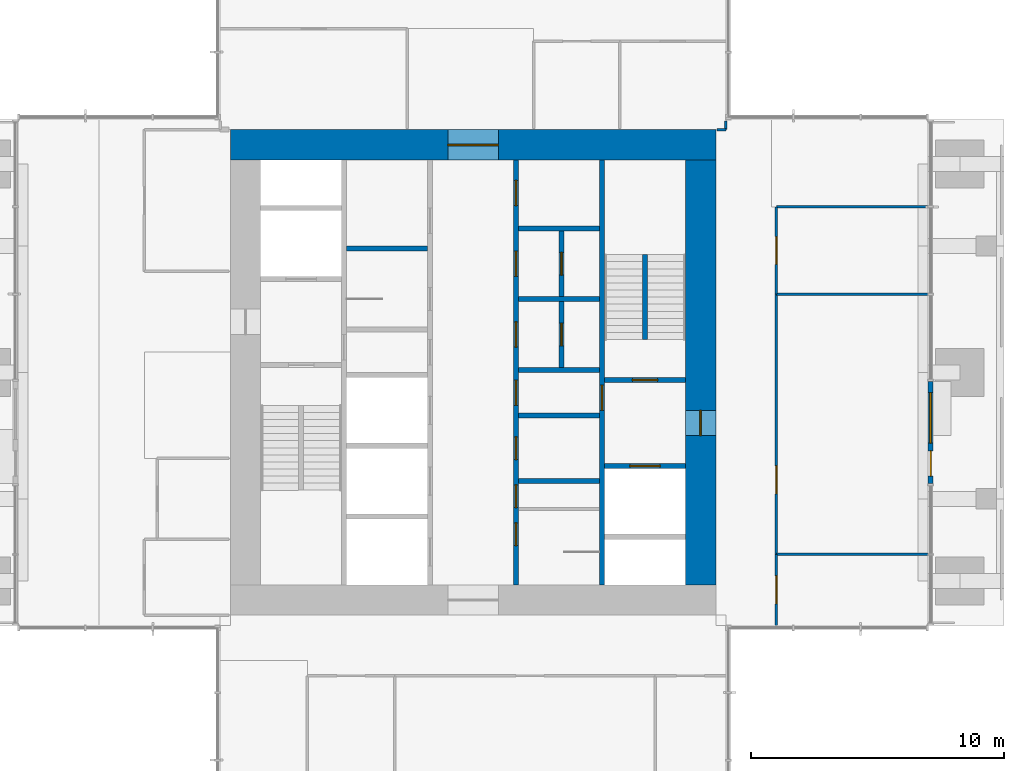
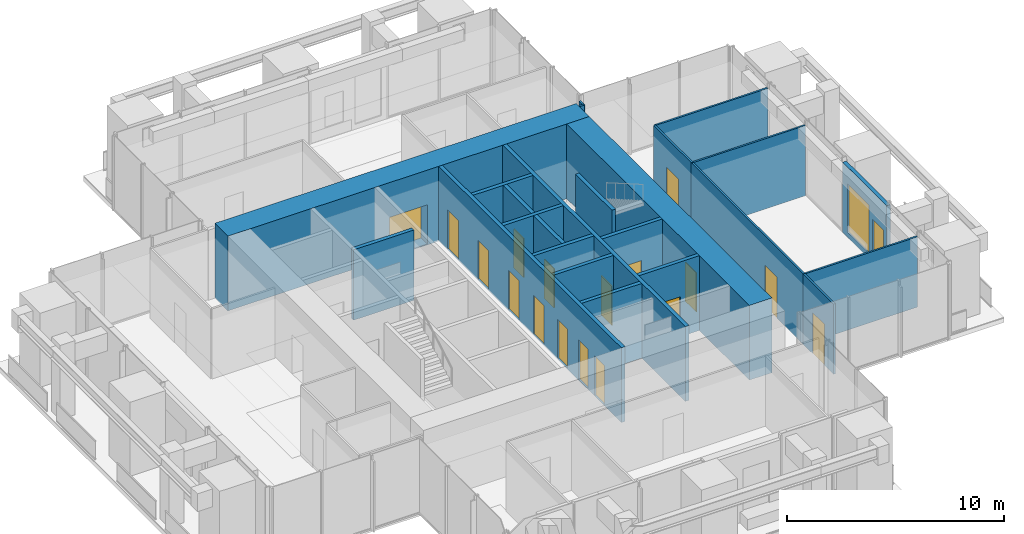
# One storey, part 8 of 12: 24 walls, 18 doors, 1 window, 19 openings.
"""IFC4 building model written with IfcOpenShell, lengths in metres."""

from ifc_helpers import new_model, si_unit, direction, frame, frame_2d, origin, place, context, subcontext, project, spatial, rectangle, extrude, material, layer, layer_set, type_object, element, fill, save


model = new_model("IFC4")

# Units and contexts
model_context = context("Model", 3, precision=1e-05, world=origin(), true_north=direction((0.0, 1.0)))
body_context = subcontext(model_context, "Body", "Model", "MODEL_VIEW")
ifc_project = project(units=[si_unit("LENGTHUNIT", "METRE"), si_unit("AREAUNIT", "SQUARE_METRE"), si_unit("VOLUMEUNIT", "CUBIC_METRE"), si_unit("PLANEANGLEUNIT", "RADIAN"), si_unit("MASSUNIT", "GRAM", prefix="KILO")], contexts=[model_context])

# Site, building, storey
site_placement = place(None, origin())
site = spatial("IfcSite", under=ifc_project, at=site_placement, CompositionType="ELEMENT")
building_placement = place(site_placement, origin())
building = spatial("IfcBuilding", under=site, at=building_placement, Name="Svetlomir Tower", CompositionType="ELEMENT")
storey_placement = place(building_placement, frame((0.0, 0.0, 244.0)))
storey = spatial("IfcBuildingStorey", under=building, at=storey_placement, Name="L58", CompositionType="ELEMENT", Elevation=244.0)

# Wall
ifc_material_1 = material(Name="Gypsum board on twin steel studs", Category="steel")
ifc_layer_1 = layer(ifc_material_1, 0.199951171875)
ifc_layer_set_1 = layer_set([ifc_layer_1], Name="Gypsum board on twin steel studs")
wall_type_1 = type_object("IfcWallType", Name="ACOUSTIC PARTITION 200", PredefinedType="PARTITIONING", material=ifc_layer_set_1)
wall_1_placement = place(storey_placement, frame((16.0, 25.89990234375, 0.0), z_axis=(0.0, 0.0, 1.0), x_axis=(1.0, 0.0, 0.0)))
element("IfcWall", 1, at=wall_1_placement, inside=storey, type_object=wall_type_1, Name="Core cell partition 16-19.2/25.9 L58", PredefinedType="PARTITIONING", context=body_context, shape_type="SweptSolid", body=[
    extrude(rectangle(XDim=3.199951171875, YDim=0.199951171875, at=frame_2d((1.60009765625, 0.0))), origin(), (0.0, 0.0, 1.0), 3.949951171875),
])

# Wall, openings, door, window
ifc_material_2 = material(Name="Bronze anodised aluminium glazed screen", Category="aluminium")
ifc_layer_2 = layer(ifc_material_2, 0.199951171875)
ifc_layer_set_2 = layer_set([ifc_layer_2], Name="Bronze anodised aluminium glazed screen")
wall_type_2 = type_object("IfcWallType", Name="BALCONY SCREEN WALL 200", PredefinedType="USERDEFINED", material=ifc_layer_set_2)
wall_2_placement = place(storey_placement, frame((39.10009765625, 16.60009765625, 0.0), z_axis=(0.0, 0.0, 1.0), x_axis=(0.0, 1.0, 0.0)))
wall_2 = element("IfcWall", 2, at=wall_2_placement, inside=storey, type_object=wall_type_2, Name="Balcony screen E", ObjectType="GLAZED SCREEN", PredefinedType="USERDEFINED", context=body_context, shape_type="SweptSolid", body=[
    extrude(rectangle(XDim=4.0498046875, YDim=0.199951171875, at=frame_2d((2.02490234375, 0.0))), origin(), (0.0, 0.0, 1.0), 3.949951171875),
])
opening_1_placement = place(wall_2_placement, frame((0.300048828125, 0.0, 0.0)))
opening_1 = element("IfcOpeningElement", 3, at=opening_1_placement, cuts=wall_2, Name="Opening BD", PredefinedType="OPENING", context=body_context, shape_type="SweptSolid", body=[
    extrude(rectangle(XDim=1.0, YDim=2.39990234375, at=frame_2d((0.5, 1.199951171875))), frame((0.0, 0.10986328125, 0.0), z_axis=(0.0, -1.0, 0.0), x_axis=(1.0, 0.0, 0.0)), (0.0, 0.0, 1.0), 0.219970703125),
])
opening_2_placement = place(wall_2_placement, frame((1.60009765625, 0.0, 0.300048828125)))
opening_2 = element("IfcOpeningElement", 4, at=opening_2_placement, cuts=wall_2, Name="Opening WS", PredefinedType="OPENING", context=body_context, shape_type="SweptSolid", body=[
    extrude(rectangle(XDim=2.0, YDim=2.699951171875, at=frame_2d((1.0, 1.35009765625))), frame((0.0, 0.10986328125, 0.0), z_axis=(0.0, -1.0, 0.0), x_axis=(1.0, 0.0, 0.0)), (0.0, 0.0, 1.0), 0.219970703125),
])
ifc_material_3 = material(Name="Bronze anodised aluminium glazed door", Category="aluminium")
door_type_1 = type_object("IfcDoorType", Name="BALCONY DOOR BD 1000x2400", OperationType="SINGLE_SWING_LEFT", PredefinedType="DOOR", material=ifc_material_3)
door_1_placement = place(opening_1_placement, origin())
door_1 = element("IfcDoor", 5, at=door_1_placement, inside=storey, type_object=door_type_1, Name="Balcony screen E door", OperationType="SINGLE_SWING_LEFT", OverallHeight=2.39990234375, OverallWidth=1.0, PredefinedType="DOOR", context=body_context, shape_type="SweptSolid", body=[
    extrude(rectangle(XDim=1.0, YDim=2.39990234375, at=frame_2d((0.5, 1.199951171875))), frame((0.0, 0.02490234375, 0.0), z_axis=(0.0, -1.0, 0.0), x_axis=(1.0, 0.0, 0.0)), (0.0, 0.0, 1.0), 0.050048828125),
])
fill(opening_1, door_1)
ifc_material_4 = material(Name="Bronze anodised aluminium window", Category="aluminium")
window_type = type_object("IfcWindowType", Name="SCREEN WINDOW WS 2000x2700", PartitioningType="SINGLE_PANEL", PredefinedType="WINDOW", material=ifc_material_4)
window_placement = place(opening_2_placement, origin())
window = element("IfcWindow", 6, at=window_placement, inside=storey, type_object=window_type, Name="Balcony screen E window 1", OverallHeight=2.699951171875, OverallWidth=2.0, PartitioningType="SINGLE_PANEL", PredefinedType="WINDOW", context=body_context, shape_type="SweptSolid", body=[
    extrude(rectangle(XDim=2.0, YDim=2.699951171875, at=frame_2d((1.0, 1.35009765625))), frame((0.0, 0.030029296875, 0.0), z_axis=(0.0, -1.0, 0.0), x_axis=(1.0, 0.0, 0.0)), (0.0, 0.0, 1.0), 0.06005859375),
])
fill(opening_2, window)

# Wall, openings, doors
ifc_material_5 = material(Name="Concrete C60/75", Category="concrete")
ifc_layer_3 = layer(ifc_material_5, 0.199951171875)
ifc_layer_set_3 = layer_set([ifc_layer_3], Name="Concrete C60/75")
wall_type_3 = type_object("IfcWallType", Name="CORE INNER WALL 200", PredefinedType="SHEAR", material=ifc_layer_set_3)
wall_3_placement = place(storey_placement, frame((22.699951171875, 12.60009765625, -0.050048828125), z_axis=(0.0, 0.0, 1.0), x_axis=(0.0, 1.0, 0.0)))
wall_3 = element("IfcWall", 7, at=wall_3_placement, inside=storey, type_object=wall_type_3, Name="Core inner wall 22.7 L58", PredefinedType="SHEAR", context=body_context, shape_type="SweptSolid", body=[
    extrude(rectangle(XDim=16.7998046875, YDim=0.199951171875, at=frame_2d((8.39990234375, 0.0))), origin(), (0.0, 0.0, 1.0), 4.199951171875),
])
opening_3_placement = place(wall_3_placement, frame((3.050048828125, 0.0, 0.050048828125)))
opening_3 = element("IfcOpeningElement", 8, at=opening_3_placement, cuts=wall_3, Name="Opening DW", PredefinedType="OPENING", context=body_context, shape_type="SweptSolid", body=[
    extrude(rectangle(XDim=0.89990234375, YDim=2.199951171875, at=frame_2d((0.449951171875, 1.10009765625))), frame((0.0, 0.10986328125, 0.0), z_axis=(0.0, -1.0, 0.0), x_axis=(1.0, 0.0, 0.0)), (0.0, 0.0, 1.0), 0.219970703125),
])
opening_4_placement = place(wall_3_placement, frame((7.10009765625, 0.0, 0.050048828125)))
opening_4 = element("IfcOpeningElement", 9, at=opening_4_placement, cuts=wall_3, Name="Opening DC", PredefinedType="OPENING", context=body_context, shape_type="SweptSolid", body=[
    extrude(rectangle(XDim=1.0, YDim=2.199951171875, at=frame_2d((0.5, 1.10009765625))), frame((0.0, 0.10986328125, 0.0), z_axis=(0.0, -1.0, 0.0), x_axis=(1.0, 0.0, 0.0)), (0.0, 0.0, 1.0), 0.219970703125),
])
opening_5_placement = place(wall_3_placement, frame((1.550048828125, 0.0, 0.050048828125)))
opening_5 = element("IfcOpeningElement", 10, at=opening_5_placement, cuts=wall_3, Name="Opening DW", PredefinedType="OPENING", context=body_context, shape_type="SweptSolid", body=[
    extrude(rectangle(XDim=0.89990234375, YDim=2.199951171875, at=frame_2d((0.449951171875, 1.10009765625))), frame((0.0, 0.10986328125, 0.0), z_axis=(0.0, -1.0, 0.0), x_axis=(1.0, 0.0, 0.0)), (0.0, 0.0, 1.0), 0.219970703125),
])
opening_6_placement = place(wall_3_placement, frame((4.949951171875, 0.0, 0.050048828125)))
opening_6 = element("IfcOpeningElement", 11, at=opening_6_placement, cuts=wall_3, Name="Opening DW", PredefinedType="OPENING", context=body_context, shape_type="SweptSolid", body=[
    extrude(rectangle(XDim=0.89990234375, YDim=2.199951171875, at=frame_2d((0.449951171875, 1.10009765625))), frame((0.0, 0.10986328125, 0.0), z_axis=(0.0, -1.0, 0.0), x_axis=(1.0, 0.0, 0.0)), (0.0, 0.0, 1.0), 0.219970703125),
])
opening_7_placement = place(wall_3_placement, frame((9.39990234375, 0.0, 0.050048828125)))
opening_7 = element("IfcOpeningElement", 12, at=opening_7_placement, cuts=wall_3, Name="Opening DC", PredefinedType="OPENING", context=body_context, shape_type="SweptSolid", body=[
    extrude(rectangle(XDim=1.0, YDim=2.199951171875, at=frame_2d((0.5, 1.10009765625))), frame((0.0, 0.10986328125, 0.0), z_axis=(0.0, -1.0, 0.0), x_axis=(1.0, 0.0, 0.0)), (0.0, 0.0, 1.0), 0.219970703125),
])
opening_8_placement = place(wall_3_placement, frame((12.199951171875, 0.0, 0.050048828125)))
opening_8 = element("IfcOpeningElement", 13, at=opening_8_placement, cuts=wall_3, Name="Opening DC", PredefinedType="OPENING", context=body_context, shape_type="SweptSolid", body=[
    extrude(rectangle(XDim=1.0, YDim=2.199951171875, at=frame_2d((0.5, 1.10009765625))), frame((0.0, 0.10986328125, 0.0), z_axis=(0.0, -1.0, 0.0), x_axis=(1.0, 0.0, 0.0)), (0.0, 0.0, 1.0), 0.219970703125),
])
opening_9_placement = place(wall_3_placement, frame((15.0, 0.0, 0.050048828125)))
opening_9 = element("IfcOpeningElement", 14, at=opening_9_placement, cuts=wall_3, Name="Opening DC", PredefinedType="OPENING", context=body_context, shape_type="SweptSolid", body=[
    extrude(rectangle(XDim=1.0, YDim=2.199951171875, at=frame_2d((0.5, 1.10009765625))), frame((0.0, 0.10986328125, 0.0), z_axis=(0.0, -1.0, 0.0), x_axis=(1.0, 0.0, 0.0)), (0.0, 0.0, 1.0), 0.219970703125),
])
ifc_material_6 = material(Name="Timber fire door", Category="wood")
door_type_2 = type_object("IfcDoorType", Name="DOOR DC 1000x2200", OperationType="SINGLE_SWING_LEFT", PredefinedType="DOOR", material=ifc_material_6)
door_2_placement = place(opening_4_placement, origin())
door_2 = element("IfcDoor", 15, at=door_2_placement, inside=storey, type_object=door_type_2, Name="Core corridor east lobby door L58", OperationType="SINGLE_SWING_LEFT", OverallHeight=2.199951171875, OverallWidth=1.0, PredefinedType="DOOR", context=body_context, shape_type="SweptSolid", body=[
    extrude(rectangle(XDim=1.0, YDim=2.199951171875, at=frame_2d((0.5, 1.10009765625))), frame((0.0, 0.02490234375, 0.0), z_axis=(0.0, -1.0, 0.0), x_axis=(1.0, 0.0, 0.0)), (0.0, 0.0, 1.0), 0.050048828125),
])
fill(opening_4, door_2)
door_3_placement = place(opening_7_placement, origin())
door_3 = element("IfcDoor", 16, at=door_3_placement, inside=storey, type_object=door_type_2, Name="Converted shaft BANK-E1 room door L58", OperationType="SINGLE_SWING_RIGHT", OverallHeight=2.199951171875, OverallWidth=1.0, PredefinedType="DOOR", context=body_context, shape_type="SweptSolid", body=[
    extrude(rectangle(XDim=1.0, YDim=2.199951171875, at=frame_2d((0.5, 1.10009765625))), frame((0.0, 0.02490234375, 0.0), z_axis=(0.0, -1.0, 0.0), x_axis=(1.0, 0.0, 0.0)), (0.0, 0.0, 1.0), 0.050048828125),
])
fill(opening_7, door_3)
door_4_placement = place(opening_8_placement, origin())
door_4 = element("IfcDoor", 17, at=door_4_placement, inside=storey, type_object=door_type_2, Name="Converted shaft BANK-E2 room door L58", OperationType="SINGLE_SWING_RIGHT", OverallHeight=2.199951171875, OverallWidth=1.0, PredefinedType="DOOR", context=body_context, shape_type="SweptSolid", body=[
    extrude(rectangle(XDim=1.0, YDim=2.199951171875, at=frame_2d((0.5, 1.10009765625))), frame((0.0, 0.02490234375, 0.0), z_axis=(0.0, -1.0, 0.0), x_axis=(1.0, 0.0, 0.0)), (0.0, 0.0, 1.0), 0.050048828125),
])
fill(opening_8, door_4)
door_5_placement = place(opening_9_placement, origin())
door_5 = element("IfcDoor", 18, at=door_5_placement, inside=storey, type_object=door_type_2, Name="Converted shaft BANK-E3 room door L58", OperationType="SINGLE_SWING_RIGHT", OverallHeight=2.199951171875, OverallWidth=1.0, PredefinedType="DOOR", context=body_context, shape_type="SweptSolid", body=[
    extrude(rectangle(XDim=1.0, YDim=2.199951171875, at=frame_2d((0.5, 1.10009765625))), frame((0.0, 0.02490234375, 0.0), z_axis=(0.0, -1.0, 0.0), x_axis=(1.0, 0.0, 0.0)), (0.0, 0.0, 1.0), 0.050048828125),
])
fill(opening_9, door_5)
ifc_material_7 = material(Name="Timber fire door", Category="wood")
door_type_3 = type_object("IfcDoorType", Name="DOOR DW 900x2200", OperationType="SINGLE_SWING_LEFT", PredefinedType="DOOR", material=ifc_material_7)
door_6_placement = place(opening_3_placement, origin())
door_6 = element("IfcDoor", 19, at=door_6_placement, inside=storey, type_object=door_type_3, Name="Shower and changing room door L58", OperationType="SINGLE_SWING_LEFT", OverallHeight=2.199951171875, OverallWidth=0.89990234375, PredefinedType="DOOR", context=body_context, shape_type="SweptSolid", body=[
    extrude(rectangle(XDim=0.89990234375, YDim=2.199951171875, at=frame_2d((0.449951171875, 1.10009765625))), frame((0.0, 0.02490234375, 0.0), z_axis=(0.0, -1.0, 0.0), x_axis=(1.0, 0.0, 0.0)), (0.0, 0.0, 1.0), 0.050048828125),
])
fill(opening_3, door_6)
door_7_placement = place(opening_5_placement, origin())
door_7 = element("IfcDoor", 20, at=door_7_placement, inside=storey, type_object=door_type_3, Name="Male WC door L58", OperationType="SINGLE_SWING_RIGHT", OverallHeight=2.199951171875, OverallWidth=0.89990234375, PredefinedType="DOOR", context=body_context, shape_type="SweptSolid", body=[
    extrude(rectangle(XDim=0.89990234375, YDim=2.199951171875, at=frame_2d((0.449951171875, 1.10009765625))), frame((0.0, 0.02490234375, 0.0), z_axis=(0.0, -1.0, 0.0), x_axis=(1.0, 0.0, 0.0)), (0.0, 0.0, 1.0), 0.050048828125),
])
fill(opening_5, door_7)
door_8_placement = place(opening_6_placement, origin())
door_8 = element("IfcDoor", 21, at=door_8_placement, inside=storey, type_object=door_type_3, Name="Comms room door L58", OperationType="SINGLE_SWING_LEFT", OverallHeight=2.199951171875, OverallWidth=0.89990234375, PredefinedType="DOOR", context=body_context, shape_type="SweptSolid", body=[
    extrude(rectangle(XDim=0.89990234375, YDim=2.199951171875, at=frame_2d((0.449951171875, 1.10009765625))), frame((0.0, 0.02490234375, 0.0), z_axis=(0.0, -1.0, 0.0), x_axis=(1.0, 0.0, 0.0)), (0.0, 0.0, 1.0), 0.050048828125),
])
fill(opening_6, door_8)

# Wall, opening, door
wall_4_placement = place(storey_placement, frame((26.10009765625, 12.60009765625, -0.050048828125), z_axis=(0.0, 0.0, 1.0), x_axis=(0.0, 1.0, 0.0)))
wall_4 = element("IfcWall", 22, at=wall_4_placement, inside=storey, type_object=wall_type_3, Name="Core inner wall 26.1 L58", PredefinedType="SHEAR", context=body_context, shape_type="SweptSolid", body=[
    extrude(rectangle(XDim=16.7998046875, YDim=0.199951171875, at=frame_2d((8.39990234375, 0.0))), origin(), (0.0, 0.0, 1.0), 4.199951171875),
])
opening_10_placement = place(wall_4_placement, frame((6.89990234375, 0.0, 0.050048828125)))
opening_10 = element("IfcOpeningElement", 23, at=opening_10_placement, cuts=wall_4, Name="Opening DF", PredefinedType="OPENING", context=body_context, shape_type="SweptSolid", body=[
    extrude(rectangle(XDim=1.0, YDim=2.199951171875, at=frame_2d((0.5, 1.10009765625))), frame((0.0, 0.10986328125, 0.0), z_axis=(0.0, -1.0, 0.0), x_axis=(1.0, 0.0, 0.0)), (0.0, 0.0, 1.0), 0.219970703125),
])
ifc_material_8 = material(Name="Steel fire door", Category="steel")
door_type_4 = type_object("IfcDoorType", Name="DOOR DF 1000x2200", OperationType="SINGLE_SWING_LEFT", PredefinedType="DOOR", material=ifc_material_8)
door_9_placement = place(opening_10_placement, origin())
door_9 = element("IfcDoor", 24, at=door_9_placement, inside=storey, type_object=door_type_4, Name="Core corridor east door L58", OperationType="SINGLE_SWING_LEFT", OverallHeight=2.199951171875, OverallWidth=1.0, PredefinedType="DOOR", context=body_context, shape_type="SweptSolid", body=[
    extrude(rectangle(XDim=1.0, YDim=2.199951171875, at=frame_2d((0.5, 1.10009765625))), frame((0.0, 0.02490234375, 0.0), z_axis=(0.0, -1.0, 0.0), x_axis=(1.0, 0.0, 0.0)), (0.0, 0.0, 1.0), 0.050048828125),
])
fill(opening_10, door_9)

# Walls
for number, where, z_axis, x_axis, name in (
    (25, (22.800048828125, 16.699951171875, -0.050048828125), (0.0, 0.0, 1.0), (1.0, 0.0, 0.0), "Core inner wall 22.8-26/16.7 L58"),
    (26, (22.800048828125, 19.300048828125, -0.050048828125), (0.0, 0.0, 1.0), (1.0, 0.0, 0.0), "Core inner wall 22.8-26/19.3 L58"),
    (27, (22.800048828125, 21.10009765625, -0.050048828125), (0.0, 0.0, 1.0), (1.0, 0.0, 0.0), "Core inner wall 22.8-26/21.1 L58"),
    (28, (22.800048828125, 23.89990234375, -0.050048828125), (0.0, 0.0, 1.0), (1.0, 0.0, 0.0), "Core inner wall 22.8-26/23.9 L58"),
    (29, (22.800048828125, 26.699951171875, -0.050048828125), (0.0, 0.0, 1.0), (1.0, 0.0, 0.0), "Core inner wall 22.8-26/26.7 L58"),
):
    element("IfcWall", number, at=place(storey_placement, frame(where, z_axis=z_axis, x_axis=x_axis)), inside=storey, type_object=wall_type_3, Name=name, PredefinedType="SHEAR", context=body_context, shape_type="SweptSolid", body=[
        extrude(rectangle(XDim=3.199951171875, YDim=0.199951171875, at=frame_2d((1.60009765625, 0.0))), origin(), (0.0, 0.0, 1.0), 4.199951171875),
    ])

# Wall, opening, door
wall_5_placement = place(storey_placement, frame((26.199951171875, 17.300048828125, -0.050048828125), z_axis=(0.0, 0.0, 1.0), x_axis=(1.0, 0.0, 0.0)))
wall_5 = element("IfcWall", 30, at=wall_5_placement, inside=storey, type_object=wall_type_3, Name="Core inner wall 26.2-29.4/17.3 L58", PredefinedType="SHEAR", context=body_context, shape_type="SweptSolid", body=[
    extrude(rectangle(XDim=3.199951171875, YDim=0.199951171875, at=frame_2d((1.60009765625, 0.0))), origin(), (0.0, 0.0, 1.0), 4.199951171875),
])
opening_11_placement = place(wall_5_placement, frame((1.0, 0.0, 0.050048828125)))
opening_11 = element("IfcOpeningElement", 31, at=opening_11_placement, cuts=wall_5, Name="Opening LD3", PredefinedType="OPENING", context=body_context, shape_type="SweptSolid", body=[
    extrude(rectangle(XDim=1.199951171875, YDim=2.199951171875, at=frame_2d((0.60009765625, 1.10009765625))), frame((0.0, 0.10986328125, 0.0), z_axis=(0.0, -1.0, 0.0), x_axis=(1.0, 0.0, 0.0)), (0.0, 0.0, 1.0), 0.219970703125),
])
ifc_material_9 = material(Name="Stainless steel fire-rated landing door", Category="steel")
door_type_5 = type_object("IfcDoorType", Name="FIREFIGHTING LIFT LANDING DOOR LD3 1200x2200", OperationType="DOUBLE_DOOR_SLIDING", PredefinedType="DOOR", material=ifc_material_9)
door_10_placement = place(opening_11_placement, origin())
door_10 = element("IfcDoor", 32, at=door_10_placement, inside=storey, type_object=door_type_5, Name="Landing door lift FL2 L58", OperationType="DOUBLE_DOOR_SLIDING", OverallHeight=2.199951171875, OverallWidth=1.199951171875, PredefinedType="DOOR", context=body_context, shape_type="SweptSolid", body=[
    extrude(rectangle(XDim=1.199951171875, YDim=2.199951171875, at=frame_2d((0.60009765625, 1.10009765625))), frame((0.0, 0.02490234375, 0.0), z_axis=(0.0, -1.0, 0.0), x_axis=(1.0, 0.0, 0.0)), (0.0, 0.0, 1.0), 0.050048828125),
])
fill(opening_11, door_10)

wall_6_placement = place(storey_placement, frame((26.199951171875, 20.699951171875, -0.050048828125), z_axis=(0.0, 0.0, 1.0), x_axis=(1.0, 0.0, 0.0)))
wall_6 = element("IfcWall", 33, at=wall_6_placement, inside=storey, type_object=wall_type_3, Name="Core inner wall 26.2-29.4/20.7 L58", PredefinedType="SHEAR", context=body_context, shape_type="SweptSolid", body=[
    extrude(rectangle(XDim=3.199951171875, YDim=0.199951171875, at=frame_2d((1.60009765625, 0.0))), origin(), (0.0, 0.0, 1.0), 4.199951171875),
])
opening_12_placement = place(wall_6_placement, frame((1.10009765625, 0.0, 0.050048828125)))
opening_12 = element("IfcOpeningElement", 34, at=opening_12_placement, cuts=wall_6, Name="Opening DF", PredefinedType="OPENING", context=body_context, shape_type="SweptSolid", body=[
    extrude(rectangle(XDim=1.0, YDim=2.199951171875, at=frame_2d((0.5, 1.10009765625))), frame((0.0, 0.10986328125, 0.0), z_axis=(0.0, -1.0, 0.0), x_axis=(1.0, 0.0, 0.0)), (0.0, 0.0, 1.0), 0.219970703125),
])
door_11_placement = place(opening_12_placement, origin())
door_11 = element("IfcDoor", 35, at=door_11_placement, inside=storey, type_object=door_type_4, Name="Stair S2 door L58", OperationType="SINGLE_SWING_LEFT", OverallHeight=2.199951171875, OverallWidth=1.0, PredefinedType="DOOR", context=body_context, shape_type="SweptSolid", body=[
    extrude(rectangle(XDim=1.0, YDim=2.199951171875, at=frame_2d((0.5, 1.10009765625))), frame((0.0, 0.02490234375, 0.0), z_axis=(0.0, -1.0, 0.0), x_axis=(1.0, 0.0, 0.0)), (0.0, 0.0, 1.0), 0.050048828125),
])
fill(opening_12, door_11)

wall_7_placement = place(storey_placement, frame((24.5, 21.199951171875, -0.050048828125), z_axis=(0.0, 0.0, 1.0), x_axis=(0.0, 1.0, 0.0)))
wall_7 = element("IfcWall", 36, at=wall_7_placement, inside=storey, type_object=wall_type_3, Name="Core inner wall 24.5/21.2-23.8 L58", PredefinedType="SHEAR", context=body_context, shape_type="SweptSolid", body=[
    extrude(rectangle(XDim=2.60009765625, YDim=0.199951171875, at=frame_2d((1.300048828125, 0.0))), origin(), (0.0, 0.0, 1.0), 4.199951171875),
])
opening_13_placement = place(wall_7_placement, frame((0.85009765625, 0.0, 0.050048828125)))
opening_13 = element("IfcOpeningElement", 37, at=opening_13_placement, cuts=wall_7, Name="Opening DW", PredefinedType="OPENING", context=body_context, shape_type="SweptSolid", body=[
    extrude(rectangle(XDim=0.89990234375, YDim=2.199951171875, at=frame_2d((0.449951171875, 1.10009765625))), frame((0.0, 0.10986328125, 0.0), z_axis=(0.0, -1.0, 0.0), x_axis=(1.0, 0.0, 0.0)), (0.0, 0.0, 1.0), 0.219970703125),
])
door_12_placement = place(opening_13_placement, origin())
door_12 = element("IfcDoor", 38, at=door_12_placement, inside=storey, type_object=door_type_3, Name="Converted shaft BANK-E1 back room door L58", OperationType="SINGLE_SWING_LEFT", OverallHeight=2.199951171875, OverallWidth=0.89990234375, PredefinedType="DOOR", context=body_context, shape_type="SweptSolid", body=[
    extrude(rectangle(XDim=0.89990234375, YDim=2.199951171875, at=frame_2d((0.449951171875, 1.10009765625))), frame((0.0, 0.02490234375, 0.0), z_axis=(0.0, -1.0, 0.0), x_axis=(1.0, 0.0, 0.0)), (0.0, 0.0, 1.0), 0.050048828125),
])
fill(opening_13, door_12)

wall_8_placement = place(storey_placement, frame((24.5, 24.0, -0.050048828125), z_axis=(0.0, 0.0, 1.0), x_axis=(0.0, 1.0, 0.0)))
wall_8 = element("IfcWall", 39, at=wall_8_placement, inside=storey, type_object=wall_type_3, Name="Core inner wall 24.5/24-26.6 L58", PredefinedType="SHEAR", context=body_context, shape_type="SweptSolid", body=[
    extrude(rectangle(XDim=2.60009765625, YDim=0.199951171875, at=frame_2d((1.300048828125, 0.0))), origin(), (0.0, 0.0, 1.0), 4.199951171875),
])
opening_14_placement = place(wall_8_placement, frame((0.85009765625, 0.0, 0.050048828125)))
opening_14 = element("IfcOpeningElement", 40, at=opening_14_placement, cuts=wall_8, Name="Opening DW", PredefinedType="OPENING", context=body_context, shape_type="SweptSolid", body=[
    extrude(rectangle(XDim=0.89990234375, YDim=2.199951171875, at=frame_2d((0.449951171875, 1.10009765625))), frame((0.0, 0.10986328125, 0.0), z_axis=(0.0, -1.0, 0.0), x_axis=(1.0, 0.0, 0.0)), (0.0, 0.0, 1.0), 0.219970703125),
])
door_13_placement = place(opening_14_placement, origin())
door_13 = element("IfcDoor", 41, at=door_13_placement, inside=storey, type_object=door_type_3, Name="Converted shaft BANK-E2 back room door L58", OperationType="SINGLE_SWING_LEFT", OverallHeight=2.199951171875, OverallWidth=0.89990234375, PredefinedType="DOOR", context=body_context, shape_type="SweptSolid", body=[
    extrude(rectangle(XDim=0.89990234375, YDim=2.199951171875, at=frame_2d((0.449951171875, 1.10009765625))), frame((0.0, 0.02490234375, 0.0), z_axis=(0.0, -1.0, 0.0), x_axis=(1.0, 0.0, 0.0)), (0.0, 0.0, 1.0), 0.050048828125),
])
fill(opening_14, door_13)

ifc_material_10 = material(Name="Concrete C60/75", Category="concrete")
ifc_layer_4 = layer(ifc_material_10, 1.199951171875)
ifc_layer_set_4 = layer_set([ifc_layer_4], Name="Concrete C60/75")
wall_type_4 = type_object("IfcWallType", Name="CORE WALL 1200", PredefinedType="SHEAR", material=ifc_layer_set_4)
wall_9_placement = place(storey_placement, frame((11.39990234375, 30.0, -0.050048828125), z_axis=(0.0, 0.0, 1.0), x_axis=(1.0, 0.0, 0.0)))
wall_9 = element("IfcWall", 42, at=wall_9_placement, inside=storey, type_object=wall_type_4, Name="Core wall north L58", PredefinedType="SHEAR", context=body_context, shape_type="SweptSolid", body=[
    extrude(rectangle(XDim=19.2001953125, YDim=1.199951171875, at=frame_2d((9.60009765625, 0.0))), origin(), (0.0, 0.0, 1.0), 4.199951171875),
])
opening_15_placement = place(wall_9_placement, frame((8.60009765625, 0.0, 0.050048828125)))
opening_15 = element("IfcOpeningElement", 43, at=opening_15_placement, cuts=wall_9, Name="Opening DL", PredefinedType="OPENING", context=body_context, shape_type="SweptSolid", body=[
    extrude(rectangle(XDim=2.0, YDim=2.199951171875, at=frame_2d((1.0, 1.10009765625))), frame((0.0, 0.60986328125, 0.0), z_axis=(0.0, -1.0, 0.0), x_axis=(1.0, 0.0, 0.0)), (0.0, 0.0, 1.0), 1.219970703125),
])
ifc_material_11 = material(Name="Steel fire door", Category="steel")
door_type_6 = type_object("IfcDoorType", Name="DOOR DL 2000x2200", OperationType="DOUBLE_DOOR_SINGLE_SWING", PredefinedType="DOOR", material=ifc_material_11)
door_14_placement = place(opening_15_placement, origin())
door_14 = element("IfcDoor", 44, at=door_14_placement, inside=storey, type_object=door_type_6, Name="Lift lobby north door L58", OperationType="DOUBLE_DOOR_SINGLE_SWING", OverallHeight=2.199951171875, OverallWidth=2.0, PredefinedType="DOOR", context=body_context, shape_type="SweptSolid", body=[
    extrude(rectangle(XDim=2.0, YDim=2.199951171875, at=frame_2d((1.0, 1.10009765625))), frame((0.0, 0.02490234375, 0.0), z_axis=(0.0, -1.0, 0.0), x_axis=(1.0, 0.0, 0.0)), (0.0, 0.0, 1.0), 0.050048828125),
])
fill(opening_15, door_14)

wall_10_placement = place(storey_placement, frame((30.0, 12.60009765625, -0.050048828125), z_axis=(0.0, 0.0, 1.0), x_axis=(0.0, 1.0, 0.0)))
wall_10 = element("IfcWall", 45, at=wall_10_placement, inside=storey, type_object=wall_type_4, Name="Core wall east L58", PredefinedType="SHEAR", context=body_context, shape_type="SweptSolid", body=[
    extrude(rectangle(XDim=16.7998046875, YDim=1.199951171875, at=frame_2d((8.39990234375, 0.0))), origin(), (0.0, 0.0, 1.0), 4.199951171875),
])
opening_16_placement = place(wall_10_placement, frame((5.89990234375, 0.0, 0.050048828125)))
opening_16 = element("IfcOpeningElement", 46, at=opening_16_placement, cuts=wall_10, Name="Opening DF", PredefinedType="OPENING", context=body_context, shape_type="SweptSolid", body=[
    extrude(rectangle(XDim=1.0, YDim=2.199951171875, at=frame_2d((0.5, 1.10009765625))), frame((0.0, 0.60986328125, 0.0), z_axis=(0.0, -1.0, 0.0), x_axis=(1.0, 0.0, 0.0)), (0.0, 0.0, 1.0), 1.219970703125),
])
door_15_placement = place(opening_16_placement, origin())
door_15 = element("IfcDoor", 47, at=door_15_placement, inside=storey, type_object=door_type_4, Name="Firefighting lobby east door L58", OperationType="SINGLE_SWING_LEFT", OverallHeight=2.199951171875, OverallWidth=1.0, PredefinedType="DOOR", context=body_context, shape_type="SweptSolid", body=[
    extrude(rectangle(XDim=1.0, YDim=2.199951171875, at=frame_2d((0.5, 1.10009765625))), frame((0.0, 0.02490234375, 0.0), z_axis=(0.0, -1.0, 0.0), x_axis=(1.0, 0.0, 0.0)), (0.0, 0.0, 1.0), 0.050048828125),
])
fill(opening_16, door_15)

# Walls
ifc_material_12 = material(Name="Framed laminated glass partition", Category="glass")
ifc_layer_5 = layer(ifc_material_12, 0.10009765625)
ifc_layer_set_5 = layer_set([ifc_layer_5], Name="Framed laminated glass partition")
wall_type_5 = type_object("IfcWallType", Name="GLAZED PARTITION 100", PredefinedType="PARTITIONING", material=ifc_layer_set_5)
wall_11_placement = place(storey_placement, frame((30.64990234375, 30.60009765625, 0.0), z_axis=(0.0, 0.0, 1.0), x_axis=(1.0, 0.0, 0.0)))
element("IfcWall", 48, at=wall_11_placement, inside=storey, type_object=wall_type_5, Name="Partition L58", PredefinedType="PARTITIONING", context=body_context, shape_type="SweptSolid", body=[
    extrude(rectangle(XDim=0.35009765625, YDim=0.10009765625, at=frame_2d((0.175048828125, 0.0))), origin(), (0.0, 0.0, 1.0), 3.949951171875),
])
wall_12_placement = place(storey_placement, frame((31.0, 30.60009765625, 0.0), z_axis=(0.0, 0.0, 1.0), x_axis=(0.0, 1.0, 0.0)))
element("IfcWall", 49, at=wall_12_placement, inside=storey, type_object=wall_type_5, Name="Partition L58", PredefinedType="PARTITIONING", context=body_context, shape_type="SweptSolid", body=[
    extrude(rectangle(XDim=0.349853515625, YDim=0.10009765625, at=frame_2d((0.1748046875, 0.0))), origin(), (0.0, 0.0, 1.0), 3.949951171875),
])

# Wall, opening, door
wall_13_placement = place(storey_placement, frame((33.0, 11.0, 0.0), z_axis=(0.0, 0.0, 1.0), x_axis=(0.0, 1.0, 0.0)))
wall_13 = element("IfcWall", 50, at=wall_13_placement, inside=storey, type_object=wall_type_5, Name="Partition L58", PredefinedType="PARTITIONING", context=body_context, shape_type="SweptSolid", body=[
    extrude(rectangle(XDim=2.800048828125, YDim=0.10009765625, at=frame_2d((1.39990234375, 0.0))), origin(), (0.0, 0.0, 1.0), 3.949951171875),
])
opening_17_placement = place(wall_13_placement, frame((0.85009765625, 0.0, 0.0)))
opening_17 = element("IfcOpeningElement", 51, at=opening_17_placement, cuts=wall_13, Name="Opening DE", PredefinedType="OPENING", context=body_context, shape_type="SweptSolid", body=[
    extrude(rectangle(XDim=1.10009765625, YDim=2.300048828125, at=frame_2d((0.550048828125, 1.14990234375))), frame((0.0, 0.06005859375, 0.0), z_axis=(0.0, -1.0, 0.0), x_axis=(1.0, 0.0, 0.0)), (0.0, 0.0, 1.0), 0.1201171875),
])
ifc_material_13 = material(Name="Walnut veneered timber door", Category="wood")
door_type_7 = type_object("IfcDoorType", Name="DOOR DE 1100x2300", OperationType="SINGLE_SWING_LEFT", PredefinedType="DOOR", material=ifc_material_13)
door_16_placement = place(opening_17_placement, origin())
door_16 = element("IfcDoor", 52, at=door_16_placement, inside=storey, type_object=door_type_7, Name="Executive office - Group treasurer door L58", OperationType="SINGLE_SWING_RIGHT", OverallHeight=2.300048828125, OverallWidth=1.10009765625, PredefinedType="DOOR", context=body_context, shape_type="SweptSolid", body=[
    extrude(rectangle(XDim=1.10009765625, YDim=2.300048828125, at=frame_2d((0.550048828125, 1.14990234375))), frame((0.0, 0.02490234375, 0.0), z_axis=(0.0, -1.0, 0.0), x_axis=(1.0, 0.0, 0.0)), (0.0, 0.0, 1.0), 0.050048828125),
])
fill(opening_17, door_16)

wall_14_placement = place(storey_placement, frame((33.0, 13.800048828125, 0.0), z_axis=(0.0, 0.0, 1.0), x_axis=(0.0, 1.0, 0.0)))
wall_14 = element("IfcWall", 53, at=wall_14_placement, inside=storey, type_object=wall_type_5, Name="Glazed partition L58", PredefinedType="PARTITIONING", context=body_context, shape_type="SweptSolid", body=[
    extrude(rectangle(XDim=10.300048828125, YDim=0.10009765625, at=frame_2d((5.14990234375, 0.0))), origin(), (0.0, 0.0, 1.0), 3.949951171875),
])
opening_18_placement = place(wall_14_placement, frame((2.39990234375, 0.0, 0.0)))
opening_18 = element("IfcOpeningElement", 54, at=opening_18_placement, cuts=wall_14, Name="Opening DE", PredefinedType="OPENING", context=body_context, shape_type="SweptSolid", body=[
    extrude(rectangle(XDim=1.10009765625, YDim=2.300048828125, at=frame_2d((0.550048828125, 1.14990234375))), frame((0.0, 0.06005859375, 0.0), z_axis=(0.0, -1.0, 0.0), x_axis=(1.0, 0.0, 0.0)), (0.0, 0.0, 1.0), 0.1201171875),
])
door_17_placement = place(opening_18_placement, origin())
door_17 = element("IfcDoor", 55, at=door_17_placement, inside=storey, type_object=door_type_7, Name="Executive meeting room, 12 seats door L58", OperationType="SINGLE_SWING_LEFT", OverallHeight=2.300048828125, OverallWidth=1.10009765625, PredefinedType="DOOR", context=body_context, shape_type="SweptSolid", body=[
    extrude(rectangle(XDim=1.10009765625, YDim=2.300048828125, at=frame_2d((0.550048828125, 1.14990234375))), frame((0.0, 0.02490234375, 0.0), z_axis=(0.0, -1.0, 0.0), x_axis=(1.0, 0.0, 0.0)), (0.0, 0.0, 1.0), 0.050048828125),
])
fill(opening_18, door_17)

# Wall
wall_15_placement = place(storey_placement, frame((33.0, 13.800048828125, 0.0), z_axis=(0.0, 0.0, 1.0), x_axis=(1.0, 0.0, 0.0)))
element("IfcWall", 56, at=wall_15_placement, inside=storey, type_object=wall_type_5, Name="Partition L58", PredefinedType="PARTITIONING", context=body_context, shape_type="SweptSolid", body=[
    extrude(rectangle(XDim=6.0, YDim=0.10009765625, at=frame_2d((3.0, 0.0))), origin(), (0.0, 0.0, 1.0), 3.949951171875),
])

# Wall, opening, door
wall_16_placement = place(storey_placement, frame((33.0, 24.10009765625, 0.0), z_axis=(0.0, 0.0, 1.0), x_axis=(0.0, 1.0, 0.0)))
wall_16 = element("IfcWall", 57, at=wall_16_placement, inside=storey, type_object=wall_type_5, Name="Partition L58", PredefinedType="PARTITIONING", context=body_context, shape_type="SweptSolid", body=[
    extrude(rectangle(XDim=3.449951171875, YDim=0.10009765625, at=frame_2d((1.72509765625, 0.0))), origin(), (0.0, 0.0, 1.0), 3.949951171875),
])
opening_19_placement = place(wall_16_placement, frame((1.175048828125, 0.0, 0.0)))
opening_19 = element("IfcOpeningElement", 58, at=opening_19_placement, cuts=wall_16, Name="Opening DE", PredefinedType="OPENING", context=body_context, shape_type="SweptSolid", body=[
    extrude(rectangle(XDim=1.10009765625, YDim=2.300048828125, at=frame_2d((0.550048828125, 1.14990234375))), frame((0.0, 0.06005859375, 0.0), z_axis=(0.0, -1.0, 0.0), x_axis=(1.0, 0.0, 0.0)), (0.0, 0.0, 1.0), 0.1201171875),
])
door_18_placement = place(opening_19_placement, origin())
door_18 = element("IfcDoor", 59, at=door_18_placement, inside=storey, type_object=door_type_7, Name="Executive office - Financial controller door L58", OperationType="SINGLE_SWING_RIGHT", OverallHeight=2.300048828125, OverallWidth=1.10009765625, PredefinedType="DOOR", context=body_context, shape_type="SweptSolid", body=[
    extrude(rectangle(XDim=1.10009765625, YDim=2.300048828125, at=frame_2d((0.550048828125, 1.14990234375))), frame((0.0, 0.02490234375, 0.0), z_axis=(0.0, -1.0, 0.0), x_axis=(1.0, 0.0, 0.0)), (0.0, 0.0, 1.0), 0.050048828125),
])
fill(opening_19, door_18)

# Walls
for number, where, z_axis, x_axis, name in (
    (60, (33.0, 24.10009765625, 0.0), (0.0, 0.0, 1.0), (1.0, 0.0, 0.0), "Partition L58"),
    (61, (33.0, 27.550048828125, 0.0), (0.0, 0.0, 1.0), (1.0, 0.0, 0.0), "Partition L58"),
):
    element("IfcWall", number, at=place(storey_placement, frame(where, z_axis=z_axis, x_axis=x_axis)), inside=storey, type_object=wall_type_5, Name=name, PredefinedType="PARTITIONING", context=body_context, shape_type="SweptSolid", body=[
        extrude(rectangle(XDim=6.0, YDim=0.10009765625, at=frame_2d((3.0, 0.0))), origin(), (0.0, 0.0, 1.0), 3.949951171875),
    ])
ifc_material_14 = material(Name="Concrete C60/75", Category="concrete")
ifc_layer_6 = layer(ifc_material_14, 0.199951171875)
ifc_layer_set_6 = layer_set([ifc_layer_6], Name="Concrete C60/75")
wall_type_6 = type_object("IfcWallType", Name="STAIR SPINE WALL 200", PredefinedType="PARTITIONING", material=ifc_layer_set_6)
wall_17_placement = place(storey_placement, frame((27.800048828125, 22.300048828125, 0.0), z_axis=(0.0, 0.0, 1.0), x_axis=(0.0, 1.0, 0.0)))
element("IfcWall", 62, at=wall_17_placement, inside=storey, type_object=wall_type_6, Name="Stair S2 spine wall L58", PredefinedType="PARTITIONING", context=body_context, shape_type="SweptSolid", body=[
    extrude(rectangle(XDim=3.35986328125, YDim=0.199951171875, at=frame_2d((1.679931640625, 0.0))), origin(), (0.0, 0.0, 1.0), 4.199951171875),
])

save(model, "model.ifc")
